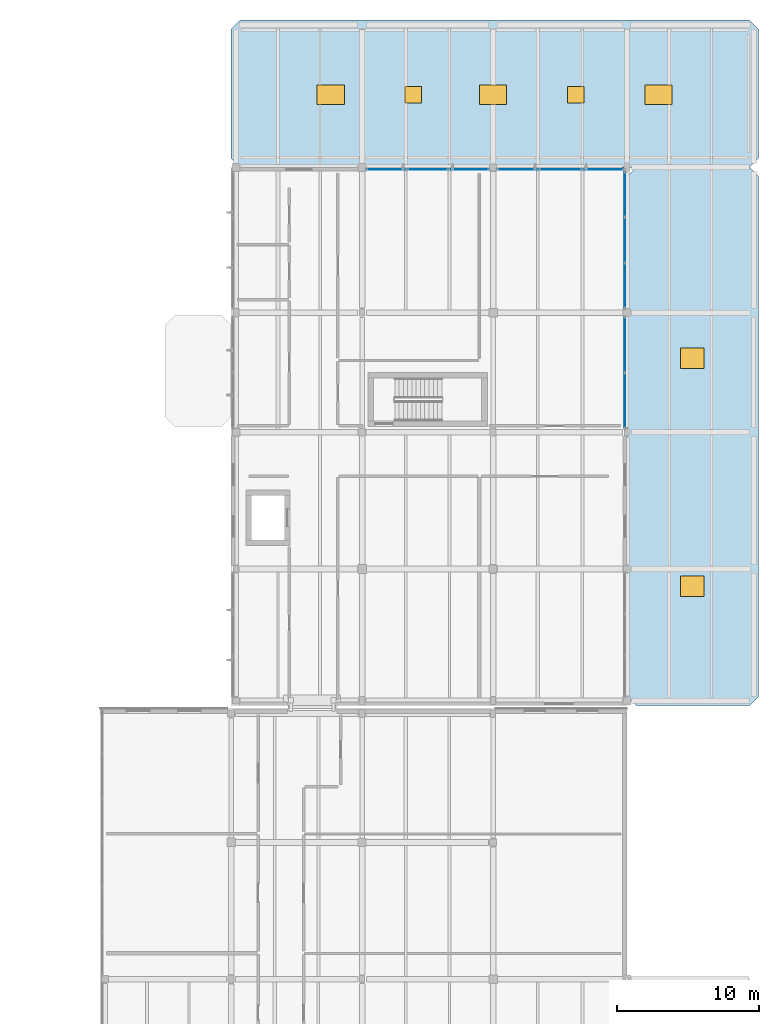
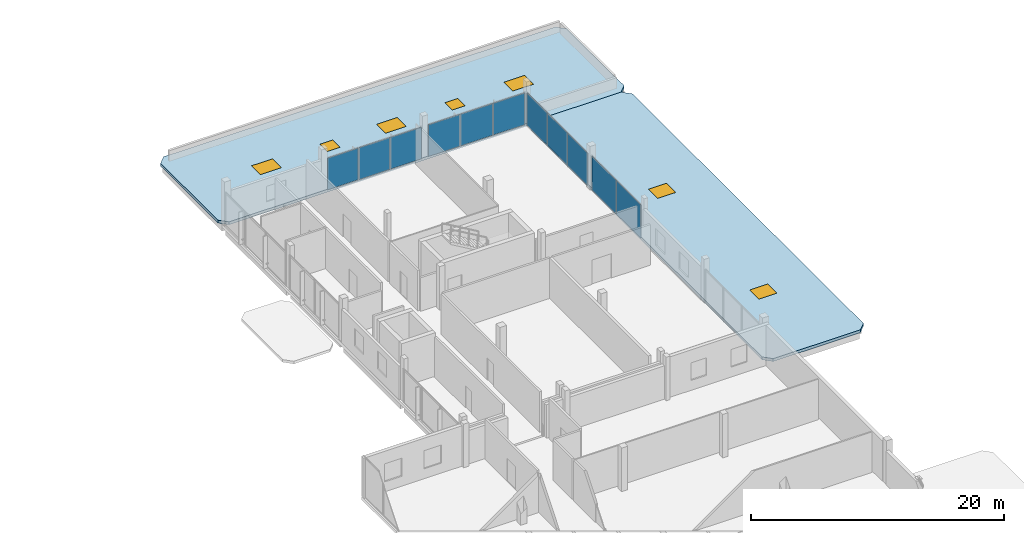
# One storey, part 35 of 66: 11 plates, 7 windows, 2 slabs, 7 openings, 4 elements without a shape of their own.
"""IFC4 building model written with IfcOpenShell, lengths in metres."""

from ifc_helpers import new_model, si_unit, direction, frame, origin, origin_2d, place, context, subcontext, project, spatial, polyline, rectangle, outline, extrude, material, layer, layer_set, type_object, element, fill, aggregate, save


model = new_model("IFC4")

# Units and contexts
model_context = context("Model", 3, precision=1e-05, world=origin(), true_north=direction((0.0, 1.0)))
body_context = subcontext(model_context, "Body", "Model", "MODEL_VIEW")
ifc_project = project(units=[si_unit("LENGTHUNIT", "METRE"), si_unit("AREAUNIT", "SQUARE_METRE"), si_unit("VOLUMEUNIT", "CUBIC_METRE"), si_unit("PLANEANGLEUNIT", "RADIAN"), si_unit("MASSUNIT", "GRAM", prefix="KILO")], contexts=[model_context])

# Site, building, storey
site_placement = place(None, origin())
site = spatial("IfcSite", under=ifc_project, at=site_placement, CompositionType="ELEMENT")
building_placement = place(site_placement, origin())
building = spatial("IfcBuilding", under=site, at=building_placement, Name="Birchvale Park Specialist Clinic", CompositionType="ELEMENT")
storey_placement = place(building_placement, frame((0.0, 0.0, 5.39990234375)))
storey = spatial("IfcBuildingStorey", under=building, at=storey_placement, Name="L01", CompositionType="ELEMENT", Elevation=5.39990234375)

# Curtain wall, plates
ifc_material_1 = material(Name="Thermally broken anodised aluminium", Category="aluminium")
ifc_layer_1 = layer(ifc_material_1, 0.2099609375)
ifc_layer_set_1 = layer_set([ifc_layer_1], Name="Thermally broken anodised aluminium")
curtain_wall_type = type_object("IfcCurtainWallType", Name="CW-U3", PredefinedType="USERDEFINED", material=ifc_layer_set_1)
curtain_wall_1_placement = place(storey_placement, origin())
curtain_wall_1 = element("IfcCurtainWall", 1, at=curtain_wall_1_placement, inside=storey, type_object=curtain_wall_type, Name="V6 L01 glazed curtain wall 96", ObjectType="UNITISED", PredefinedType="USERDEFINED")
ifc_material_2 = material(Name="Solar-control low-E double glazing", Category="glass")
ifc_layer_2 = layer(ifc_material_2, 0.035888671875)
ifc_layer_set_2 = layer_set([ifc_layer_2], Name="Solar-control low-E double glazing")
plate_type = type_object("IfcPlateType", Name="CWP3", PredefinedType="CURTAIN_PANEL", material=ifc_layer_set_2)
plate_1_placement = place(storey_placement, frame((155.655029296875, 85.0361328125, 0.070068359375), z_axis=(0.0, 0.0, 1.0), x_axis=(0.0, 1.0, 0.0)))
plate_1 = element("IfcPlate", 2, at=plate_1_placement, type_object=plate_type, Name="CW panel 1.1", PredefinedType="CURTAIN_PANEL", context=body_context, shape_type="SweptSolid", body=[
    extrude(rectangle(XDim=3.83251953125, YDim=0.035888671875, at=origin_2d()), origin(), (0.0, 0.0, 1.0), 3.205078125),
])
plate_2_placement = place(storey_placement, frame((155.655029296875, 88.938720703125, 0.070068359375), z_axis=(0.0, 0.0, 1.0), x_axis=(0.0, 1.0, 0.0)))
plate_2 = element("IfcPlate", 3, at=plate_2_placement, type_object=plate_type, Name="CW panel 2.1", PredefinedType="CURTAIN_PANEL", context=body_context, shape_type="SweptSolid", body=[
    extrude(rectangle(XDim=3.83251953125, YDim=0.035888671875, at=origin_2d()), origin(), (0.0, 0.0, 1.0), 3.205078125),
])
aggregate(curtain_wall_1, [plate_1, plate_2])

curtain_wall_2_placement = place(storey_placement, origin())
curtain_wall_2 = element("IfcCurtainWall", 4, at=curtain_wall_2_placement, inside=storey, type_object=curtain_wall_type, Name="V6 L01 glazed curtain wall 97", ObjectType="UNITISED", PredefinedType="USERDEFINED")
plate_3_placement = place(storey_placement, frame((155.655029296875, 93.100830078125, 0.0703125), z_axis=(0.0, 0.0, 1.0), x_axis=(0.0, 1.0, 0.0)))
plate_3 = element("IfcPlate", 5, at=plate_3_placement, type_object=plate_type, Name="CW panel 1.1", PredefinedType="CURTAIN_PANEL", context=body_context, shape_type="SweptSolid", body=[
    extrude(rectangle(XDim=3.111572265625, YDim=0.035888671875, at=origin_2d()), origin(), (0.0, 0.0, 1.0), 3.094970703125),
])
plate_4_placement = place(storey_placement, frame((155.655029296875, 96.300048828125, 0.0703125), z_axis=(0.0, 0.0, 1.0), x_axis=(0.0, 1.0, 0.0)))
plate_4 = element("IfcPlate", 6, at=plate_4_placement, type_object=plate_type, Name="CW panel 2.1", PredefinedType="CURTAIN_PANEL", context=body_context, shape_type="SweptSolid", body=[
    extrude(rectangle(XDim=3.146728515625, YDim=0.035888671875, at=origin_2d()), origin(), (0.0, 0.0, 1.0), 3.094970703125),
])
plate_5_placement = place(storey_placement, frame((155.655029296875, 99.499267578125, 0.0703125), z_axis=(0.0, 0.0, 1.0), x_axis=(0.0, 1.0, 0.0)))
plate_5 = element("IfcPlate", 7, at=plate_5_placement, type_object=plate_type, Name="CW panel 3.1", PredefinedType="CURTAIN_PANEL", context=body_context, shape_type="SweptSolid", body=[
    extrude(rectangle(XDim=3.111572265625, YDim=0.035888671875, at=origin_2d()), origin(), (0.0, 0.0, 1.0), 3.094970703125),
])
aggregate(curtain_wall_2, [plate_3, plate_4, plate_5])

curtain_wall_3_placement = place(storey_placement, origin())
curtain_wall_3 = element("IfcCurtainWall", 8, at=curtain_wall_3_placement, inside=storey, type_object=curtain_wall_type, Name="V6 L01 glazed curtain wall 98", ObjectType="UNITISED", PredefinedType="USERDEFINED")
plate_6_placement = place(storey_placement, frame((154.0908203125, 101.2548828125, 0.070068359375), z_axis=(0.0, 0.0, 1.0), x_axis=(-1.0, 0.0, 0.0)))
plate_6 = element("IfcPlate", 9, at=plate_6_placement, type_object=plate_type, Name="CW panel 1.1", PredefinedType="CURTAIN_PANEL", context=body_context, shape_type="SweptSolid", body=[
    extrude(rectangle(XDim=2.87841796875, YDim=0.035888671875, at=origin_2d()), origin(), (0.0, 0.0, 1.0), 3.044921875),
])
plate_7_placement = place(storey_placement, frame((151.125, 101.2548828125, 0.070068359375), z_axis=(0.0, 0.0, 1.0), x_axis=(-1.0, 0.0, 0.0)))
plate_7 = element("IfcPlate", 10, at=plate_7_placement, type_object=plate_type, Name="CW panel 2.1", PredefinedType="CURTAIN_PANEL", context=body_context, shape_type="SweptSolid", body=[
    extrude(rectangle(XDim=2.913330078125, YDim=0.035888671875, at=origin_2d()), origin(), (0.0, 0.0, 1.0), 3.044921875),
])
plate_8_placement = place(storey_placement, frame((148.1591796875, 101.2548828125, 0.070068359375), z_axis=(0.0, 0.0, 1.0), x_axis=(-1.0, 0.0, 0.0)))
plate_8 = element("IfcPlate", 11, at=plate_8_placement, type_object=plate_type, Name="CW panel 3.1", PredefinedType="CURTAIN_PANEL", context=body_context, shape_type="SweptSolid", body=[
    extrude(rectangle(XDim=2.87841796875, YDim=0.035888671875, at=origin_2d()), origin(), (0.0, 0.0, 1.0), 3.044921875),
])
aggregate(curtain_wall_3, [plate_6, plate_7, plate_8])

curtain_wall_4_placement = place(storey_placement, origin())
curtain_wall_4 = element("IfcCurtainWall", 12, at=curtain_wall_4_placement, inside=storey, type_object=curtain_wall_type, Name="V6 L01 glazed curtain wall 99", ObjectType="UNITISED", PredefinedType="USERDEFINED")
plate_9_placement = place(storey_placement, frame((144.686767578125, 101.2548828125, 0.070068359375), z_axis=(0.0, 0.0, 1.0), x_axis=(-1.0, 0.0, 0.0)))
plate_9 = element("IfcPlate", 13, at=plate_9_placement, type_object=plate_type, Name="CW panel 1.1", PredefinedType="CURTAIN_PANEL", context=body_context, shape_type="SweptSolid", body=[
    extrude(rectangle(XDim=2.78662109375, YDim=0.035888671875, at=origin_2d()), origin(), (0.0, 0.0, 1.0), 3.044921875),
])
plate_10_placement = place(storey_placement, frame((141.8125, 101.2548828125, 0.070068359375), z_axis=(0.0, 0.0, 1.0), x_axis=(-1.0, 0.0, 0.0)))
plate_10 = element("IfcPlate", 14, at=plate_10_placement, type_object=plate_type, Name="CW panel 2.1", PredefinedType="CURTAIN_PANEL", context=body_context, shape_type="SweptSolid", body=[
    extrude(rectangle(XDim=2.82177734375, YDim=0.035888671875, at=origin_2d()), origin(), (0.0, 0.0, 1.0), 3.044921875),
])
plate_11_placement = place(storey_placement, frame((138.938232421875, 101.2548828125, 0.070068359375), z_axis=(0.0, 0.0, 1.0), x_axis=(-1.0, 0.0, 0.0)))
plate_11 = element("IfcPlate", 15, at=plate_11_placement, type_object=plate_type, Name="CW panel 3.1", PredefinedType="CURTAIN_PANEL", context=body_context, shape_type="SweptSolid", body=[
    extrude(rectangle(XDim=2.78662109375, YDim=0.035888671875, at=origin_2d()), origin(), (0.0, 0.0, 1.0), 3.044921875),
])
aggregate(curtain_wall_4, [plate_9, plate_10, plate_11])

# Slab, openings, windows
ifc_material_3 = material(Name="Concrete C35/45", Category="concrete")
ifc_layer_3 = layer(ifc_material_3, 0.27490234375)
ifc_layer_set_3 = layer_set([ifc_layer_3], Name="Concrete C35/45")
slab_type = type_object("IfcSlabType", Name="SLB-RS4", PredefinedType="ROOF", material=ifc_layer_set_3)
slab_1_placement = place(storey_placement, frame((0.0, 0.0, -0.27490234375)))
slab_1 = element("IfcSlab", 16, at=slab_1_placement, inside=storey, type_object=slab_type, Name="V6 L01 flat roof slab SLB-V6-L01-NRF", PredefinedType="ROOF", context=body_context, shape_type="SweptSolid", body=[
    extrude(outline(polyline([(128.64990234375, 101.39990234375), (164.39990234375, 101.39990234375), (165.050048828125, 102.050048828125), (165.050048828125, 111.10009765625), (164.39990234375, 111.75), (128.64990234375, 111.75), (128.0, 111.10009765625), (128.0, 102.050048828125), (128.64990234375, 101.39990234375)])), origin(), (0.0, 0.0, 1.0), 0.27490234375),
])
opening_1_placement = place(slab_1_placement, frame((135.0, 106.5, 0.0)))
opening_1 = element("IfcOpeningElement", 17, at=opening_1_placement, cuts=slab_1, Name="Opening SK-05", PredefinedType="OPENING", context=body_context, shape_type="SweptSolid", body=[
    extrude(rectangle(XDim=1.89990234375, YDim=1.39990234375, at=origin_2d()), frame((0.0, 0.0, -0.010009765625)), (0.0, 0.0, 1.0), 0.294921875),
])
opening_2_placement = place(slab_1_placement, frame((146.39990234375, 106.5, 0.0)))
opening_2 = element("IfcOpeningElement", 18, at=opening_2_placement, cuts=slab_1, Name="Opening SK-05", PredefinedType="OPENING", context=body_context, shape_type="SweptSolid", body=[
    extrude(rectangle(XDim=1.89990234375, YDim=1.39990234375, at=origin_2d()), frame((0.0, 0.0, -0.010009765625)), (0.0, 0.0, 1.0), 0.294921875),
])
opening_3_placement = place(slab_1_placement, frame((158.0, 106.5, 0.0)))
opening_3 = element("IfcOpeningElement", 19, at=opening_3_placement, cuts=slab_1, Name="Opening SK-05", PredefinedType="OPENING", context=body_context, shape_type="SweptSolid", body=[
    extrude(rectangle(XDim=1.89990234375, YDim=1.39990234375, at=origin_2d()), frame((0.0, 0.0, -0.010009765625)), (0.0, 0.0, 1.0), 0.294921875),
])
opening_4_placement = place(slab_1_placement, frame((140.800048828125, 106.5, 0.0)))
opening_4 = element("IfcOpeningElement", 20, at=opening_4_placement, cuts=slab_1, Name="Opening SK-01", PredefinedType="OPENING", context=body_context, shape_type="SweptSolid", body=[
    extrude(rectangle(XDim=1.14990234375, YDim=1.14990234375, at=origin_2d()), frame((0.0, 0.0, -0.010009765625)), (0.0, 0.0, 1.0), 0.294921875),
])
opening_5_placement = place(slab_1_placement, frame((152.199951171875, 106.5, 0.0)))
opening_5 = element("IfcOpeningElement", 21, at=opening_5_placement, cuts=slab_1, Name="Opening SK-01", PredefinedType="OPENING", context=body_context, shape_type="SweptSolid", body=[
    extrude(rectangle(XDim=1.14990234375, YDim=1.14990234375, at=origin_2d()), frame((0.0, 0.0, -0.010009765625)), (0.0, 0.0, 1.0), 0.294921875),
])
window_type_1 = type_object("IfcWindowType", Name="WIN-SK-01", PartitioningType="SINGLE_PANEL", PredefinedType="SKYLIGHT", material=ifc_material_2)
window_1_placement = place(opening_4_placement, frame((0.0, 0.0, 0.224853515625)))
window_1 = element("IfcWindow", 22, at=window_1_placement, inside=storey, type_object=window_type_1, Name="L01 roof daylight skylight 35", OverallHeight=1.14990234375, OverallWidth=1.14990234375, PartitioningType="SINGLE_PANEL", PredefinedType="SKYLIGHT", context=body_context, shape_type="SweptSolid", body=[
    extrude(rectangle(XDim=1.14990234375, YDim=1.14990234375, at=origin_2d()), origin(), (0.0, 0.0, 1.0), 0.050048828125),
])
fill(opening_4, window_1)
window_2_placement = place(opening_5_placement, frame((0.0, 0.0, 0.224853515625)))
window_2 = element("IfcWindow", 23, at=window_2_placement, inside=storey, type_object=window_type_1, Name="L01 roof daylight skylight 36", OverallHeight=1.14990234375, OverallWidth=1.14990234375, PartitioningType="SINGLE_PANEL", PredefinedType="SKYLIGHT", context=body_context, shape_type="SweptSolid", body=[
    extrude(rectangle(XDim=1.14990234375, YDim=1.14990234375, at=origin_2d()), origin(), (0.0, 0.0, 1.0), 0.050048828125),
])
fill(opening_5, window_2)
window_type_2 = type_object("IfcWindowType", Name="WIN-SK-05", PartitioningType="SINGLE_PANEL", PredefinedType="SKYLIGHT", material=ifc_material_2)
window_3_placement = place(opening_1_placement, frame((0.0, 0.0, 0.224853515625)))
window_3 = element("IfcWindow", 24, at=window_3_placement, inside=storey, type_object=window_type_2, Name="L01 roof daylight skylight 23", OverallHeight=1.39990234375, OverallWidth=1.89990234375, PartitioningType="SINGLE_PANEL", PredefinedType="SKYLIGHT", context=body_context, shape_type="SweptSolid", body=[
    extrude(rectangle(XDim=1.89990234375, YDim=1.39990234375, at=origin_2d()), origin(), (0.0, 0.0, 1.0), 0.050048828125),
])
fill(opening_1, window_3)
window_4_placement = place(opening_2_placement, frame((0.0, 0.0, 0.224853515625)))
window_4 = element("IfcWindow", 25, at=window_4_placement, inside=storey, type_object=window_type_2, Name="L01 roof daylight skylight 24", OverallHeight=1.39990234375, OverallWidth=1.89990234375, PartitioningType="SINGLE_PANEL", PredefinedType="SKYLIGHT", context=body_context, shape_type="SweptSolid", body=[
    extrude(rectangle(XDim=1.89990234375, YDim=1.39990234375, at=origin_2d()), origin(), (0.0, 0.0, 1.0), 0.050048828125),
])
fill(opening_2, window_4)
window_5_placement = place(opening_3_placement, frame((0.0, 0.0, 0.224853515625)))
window_5 = element("IfcWindow", 26, at=window_5_placement, inside=storey, type_object=window_type_2, Name="L01 roof daylight skylight 25", OverallHeight=1.39990234375, OverallWidth=1.89990234375, PartitioningType="SINGLE_PANEL", PredefinedType="SKYLIGHT", context=body_context, shape_type="SweptSolid", body=[
    extrude(rectangle(XDim=1.89990234375, YDim=1.39990234375, at=origin_2d()), origin(), (0.0, 0.0, 1.0), 0.050048828125),
])
fill(opening_3, window_5)

slab_2_placement = place(storey_placement, frame((0.0, 0.0, -0.27490234375)))
slab_2 = element("IfcSlab", 27, at=slab_2_placement, inside=storey, type_object=slab_type, Name="V6 L01 flat roof slab SLB-V6-L01-ERF", PredefinedType="ROOF", context=body_context, shape_type="SweptSolid", body=[
    extrude(outline(polyline([(156.449951171875, 63.60009765625), (164.39990234375, 63.60009765625), (165.050048828125, 64.25), (165.050048828125, 100.75), (164.39990234375, 101.39990234375), (156.449951171875, 101.39990234375), (155.800048828125, 100.75), (155.800048828125, 64.25), (156.449951171875, 63.60009765625)])), origin(), (0.0, 0.0, 1.0), 0.27490234375),
])
opening_6_placement = place(slab_2_placement, frame((160.39990234375, 72.0, 0.0)))
opening_6 = element("IfcOpeningElement", 28, at=opening_6_placement, cuts=slab_2, Name="Opening SK-09", PredefinedType="OPENING", context=body_context, shape_type="SweptSolid", body=[
    extrude(rectangle(XDim=1.64990234375, YDim=1.449951171875, at=origin_2d()), frame((0.0, 0.0, -0.010009765625)), (0.0, 0.0, 1.0), 0.294921875),
])
opening_7_placement = place(slab_2_placement, frame((160.39990234375, 88.0, 0.0)))
opening_7 = element("IfcOpeningElement", 29, at=opening_7_placement, cuts=slab_2, Name="Opening SK-09", PredefinedType="OPENING", context=body_context, shape_type="SweptSolid", body=[
    extrude(rectangle(XDim=1.64990234375, YDim=1.449951171875, at=origin_2d()), frame((0.0, 0.0, -0.010009765625)), (0.0, 0.0, 1.0), 0.294921875),
])
window_type_3 = type_object("IfcWindowType", Name="WIN-SK-09", PartitioningType="SINGLE_PANEL", PredefinedType="SKYLIGHT", material=ifc_material_2)
window_6_placement = place(opening_6_placement, frame((0.0, 0.0, 0.224853515625)))
window_6 = element("IfcWindow", 30, at=window_6_placement, inside=storey, type_object=window_type_3, Name="L01 roof daylight skylight 26", OverallHeight=1.449951171875, OverallWidth=1.64990234375, PartitioningType="SINGLE_PANEL", PredefinedType="SKYLIGHT", context=body_context, shape_type="SweptSolid", body=[
    extrude(rectangle(XDim=1.64990234375, YDim=1.449951171875, at=origin_2d()), origin(), (0.0, 0.0, 1.0), 0.050048828125),
])
fill(opening_6, window_6)
window_7_placement = place(opening_7_placement, frame((0.0, 0.0, 0.224853515625)))
window_7 = element("IfcWindow", 31, at=window_7_placement, inside=storey, type_object=window_type_3, Name="L01 roof daylight skylight 27", OverallHeight=1.449951171875, OverallWidth=1.64990234375, PartitioningType="SINGLE_PANEL", PredefinedType="SKYLIGHT", context=body_context, shape_type="SweptSolid", body=[
    extrude(rectangle(XDim=1.64990234375, YDim=1.449951171875, at=origin_2d()), origin(), (0.0, 0.0, 1.0), 0.050048828125),
])
fill(opening_7, window_7)

save(model, "model.ifc")
